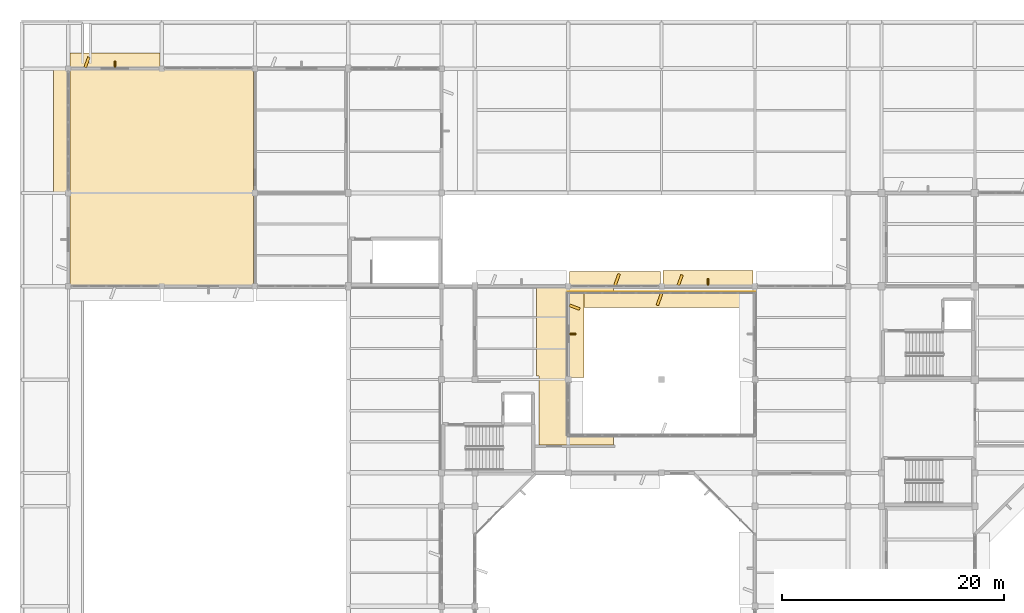
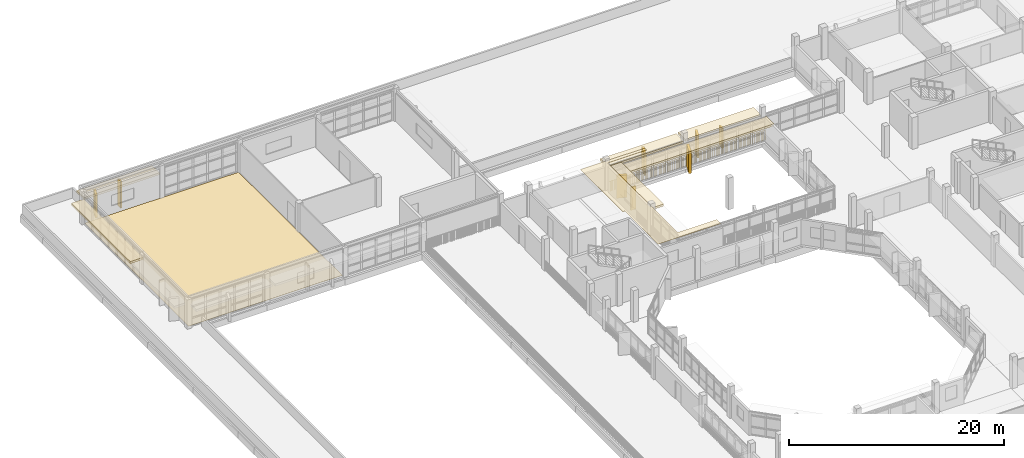
# One storey, part 84 of 92: 13 coverings, 3 shading devices, 1 railing.
"""IFC4 building model written with IfcOpenShell, lengths in metres."""

from ifc_helpers import new_model, si_unit, direction, frame, origin, origin_2d, place, context, subcontext, project, spatial, polyline, rectangle, circle, outline, extrude, material, layer, layer_set, type_object, element, save


model = new_model("IFC4")

# Units and contexts
model_context = context("Model", 3, precision=1e-05, world=origin(), true_north=direction((0.0, 1.0)))
body_context = subcontext(model_context, "Body", "Model", "MODEL_VIEW")
ifc_project = project(units=[si_unit("LENGTHUNIT", "METRE"), si_unit("AREAUNIT", "SQUARE_METRE"), si_unit("VOLUMEUNIT", "CUBIC_METRE"), si_unit("PLANEANGLEUNIT", "RADIAN"), si_unit("MASSUNIT", "GRAM", prefix="KILO")], contexts=[model_context])

# Site, building, storey
site_placement = place(None, origin())
site = spatial("IfcSite", under=ifc_project, at=site_placement, CompositionType="ELEMENT")
building_placement = place(site_placement, origin())
building = spatial("IfcBuilding", under=site, at=building_placement, Name="Vanh Quang Courtyard School", CompositionType="ELEMENT")
storey_placement = place(building_placement, frame((0.0, 0.0, 7.800048828125)))
storey = spatial("IfcBuildingStorey", under=building, at=storey_placement, Name="L02", CompositionType="ELEMENT", Elevation=7.800048828125)

# Coverings
ifc_material_1 = material(Name="Perforated mineral-fibre acoustic ceiling board")
ifc_layer_1 = layer(ifc_material_1, 0.02490234375)
ifc_layer_set_1 = layer_set([ifc_layer_1], Name="Perforated mineral-fibre acoustic ceiling board")
covering_type_1 = type_object("IfcCoveringType", Name="COV-CEIL-ACOUSTIC", PredefinedType="CEILING", material=ifc_layer_set_1)
covering_1_placement = place(storey_placement, frame((0.0, 0.0, 3.27490234375)))
element("IfcCovering", 1, at=covering_1_placement, inside=storey, type_object=covering_type_1, Name="Covering CV-CL1 (L02)", PredefinedType="CEILING", context=body_context, shape_type="SweptSolid", body=[
    extrude(outline(polyline([(53.27001953125, 87.739990234375), (53.27001953125, 87.739013671875), (53.269775390625, 87.738037109375), (53.26953125, 87.737060546875), (53.269287109375, 87.736083984375), (53.268798828125, 87.7353515625), (53.268310546875, 87.734375), (53.267578125, 87.733642578125), (53.26708984375, 87.73291015625), (53.266357421875, 87.732421875), (53.265625, 87.731689453125), (53.2646484375, 87.731201171875), (53.263916015625, 87.730712890625), (53.262939453125, 87.73046875), (53.261962890625, 87.730224609375), (53.260986328125, 87.72998046875), (53.260009765625, 87.72998046875), (49.200927734375, 87.72998046875), (49.150390625, 87.719970703125), (49.108154296875, 87.69189453125), (49.080078125, 87.649658203125), (49.070068359375, 87.59912109375), (49.070068359375, 74.80078125), (49.07568359375, 74.7626953125), (49.099853515625, 74.71728515625), (49.127685546875, 74.69189453125), (49.162353515625, 74.67578125), (49.20068359375, 74.669921875), (53.260009765625, 74.669921875), (53.260986328125, 74.669921875), (53.261962890625, 74.669921875), (53.262939453125, 74.669677734375), (53.263916015625, 74.669189453125), (53.2646484375, 74.668701171875), (53.265625, 74.668212890625), (53.266357421875, 74.667724609375), (53.26708984375, 74.6669921875), (53.267578125, 74.666259765625), (53.268310546875, 74.66552734375), (53.268798828125, 74.664794921875), (53.269287109375, 74.663818359375), (53.26953125, 74.662841796875), (53.269775390625, 74.662109375), (53.27001953125, 74.660888671875), (53.27001953125, 74.659912109375), (53.27001953125, 73.93994140625), (53.27001953125, 73.93896484375), (53.269775390625, 73.93798828125), (53.26953125, 73.93701171875), (53.269287109375, 73.936279296875), (53.268798828125, 73.935302734375), (53.268310546875, 73.934326171875), (53.267578125, 73.93359375), (53.26708984375, 73.932861328125), (53.266357421875, 73.932373046875), (53.265625, 73.931640625), (53.2646484375, 73.93115234375), (53.263916015625, 73.930908203125), (53.262939453125, 73.930419921875), (53.261962890625, 73.93017578125), (53.260986328125, 73.929931640625), (53.260009765625, 73.929931640625), (46.550048828125, 73.929931640625), (46.550048828125, 80.14990234375), (46.330078125, 80.14990234375), (46.330078125, 88.06005859375), (46.330078125, 88.06103515625), (46.330078125, 88.06201171875), (46.330322265625, 88.06298828125), (46.330810546875, 88.063720703125), (46.331298828125, 88.064697265625), (46.331787109375, 88.065673828125), (46.332275390625, 88.06640625), (46.3330078125, 88.067138671875), (46.333740234375, 88.067626953125), (46.33447265625, 88.068359375), (46.335205078125, 88.06884765625), (46.336181640625, 88.069091796875), (46.337158203125, 88.069580078125), (46.337890625, 88.06982421875), (46.339111328125, 88.070068359375), (46.340087890625, 88.070068359375), (53.260009765625, 88.070068359375), (53.260986328125, 88.070068359375), (53.261962890625, 88.06982421875), (53.262939453125, 88.069580078125), (53.263916015625, 88.069091796875), (53.2646484375, 88.06884765625), (53.265625, 88.068359375), (53.266357421875, 88.067626953125), (53.26708984375, 88.067138671875), (53.267578125, 88.06640625), (53.268310546875, 88.065673828125), (53.268798828125, 88.064697265625), (53.269287109375, 88.063720703125), (53.26953125, 88.06298828125), (53.269775390625, 88.06201171875), (53.27001953125, 88.06103515625), (53.27001953125, 88.06005859375), (53.27001953125, 87.739990234375)])), origin(), (0.0, 0.0, 1.0), 0.025146484375),
])
ifc_material_2 = material(Name="Polished cementitious terrazzo tile", Category="concrete")
ifc_layer_2 = layer(ifc_material_2, 0.02001953125)
ifc_layer_set_2 = layer_set([ifc_layer_2], Name="Polished cementitious terrazzo tile")
covering_type_2 = type_object("IfcCoveringType", Name="COV-FLR-TERRAZZO", PredefinedType="FLOORING", material=ifc_layer_set_2)
covering_2_placement = place(storey_placement, origin())
element("IfcCovering", 2, at=covering_2_placement, inside=storey, type_object=covering_type_2, Name="Covering CV-FL1 (L02)", PredefinedType="FLOORING", context=body_context, shape_type="SweptSolid", body=[
    extrude(outline(polyline([(4.330078125, 107.659912109375), (4.330078125, 107.660888671875), (4.330078125, 107.662109375), (4.330322265625, 107.662841796875), (4.330810546875, 107.663818359375), (4.331298828125, 107.664794921875), (4.331787109375, 107.66552734375), (4.332275390625, 107.666259765625), (4.3330078125, 107.6669921875), (4.333740234375, 107.667724609375), (4.33447265625, 107.668212890625), (4.335205078125, 107.668701171875), (4.336181640625, 107.669189453125), (4.337158203125, 107.669677734375), (4.337890625, 107.669921875), (4.339111328125, 107.669921875), (4.340087890625, 107.669921875), (20.860107421875, 107.669921875), (20.861083984375, 107.669921875), (20.862060546875, 107.669921875), (20.86279296875, 107.669677734375), (20.86376953125, 107.669189453125), (20.86474609375, 107.668701171875), (20.865478515625, 107.668212890625), (20.8662109375, 107.667724609375), (20.8671875, 107.6669921875), (20.86767578125, 107.666259765625), (20.868408203125, 107.66552734375), (20.868896484375, 107.664794921875), (20.869140625, 107.663818359375), (20.86962890625, 107.662841796875), (20.869873046875, 107.662109375), (20.8701171875, 107.660888671875), (20.8701171875, 107.659912109375), (20.8701171875, 88.340087890625), (20.8701171875, 88.339111328125), (20.869873046875, 88.337890625), (20.86962890625, 88.337158203125), (20.869140625, 88.336181640625), (20.868896484375, 88.335205078125), (20.868408203125, 88.33447265625), (20.86767578125, 88.333740234375), (20.8671875, 88.3330078125), (20.8662109375, 88.332275390625), (20.865478515625, 88.331787109375), (20.86474609375, 88.331298828125), (20.86376953125, 88.330810546875), (20.86279296875, 88.330322265625), (20.862060546875, 88.330078125), (20.861083984375, 88.330078125), (20.860107421875, 88.330078125), (4.340087890625, 88.330078125), (4.339111328125, 88.330078125), (4.337890625, 88.330078125), (4.337158203125, 88.330322265625), (4.336181640625, 88.330810546875), (4.335205078125, 88.331298828125), (4.33447265625, 88.331787109375), (4.333740234375, 88.332275390625), (4.3330078125, 88.3330078125), (4.332275390625, 88.333740234375), (4.331787109375, 88.33447265625), (4.331298828125, 88.335205078125), (4.330810546875, 88.336181640625), (4.330322265625, 88.337158203125), (4.330078125, 88.337890625), (4.330078125, 88.339111328125), (4.330078125, 88.340087890625), (4.330078125, 107.659912109375)])), origin(), (0.0, 0.0, 1.0), 0.02001953125),
])
ifc_material_3 = material(Name="Board-marked precast concrete C40/50", Category="concrete")
ifc_layer_3 = layer(ifc_material_3, 0.239990234375)
ifc_layer_set_3 = layer_set([ifc_layer_3], Name="Board-marked precast concrete C40/50")
covering_type_3 = type_object("IfcCoveringType", Name="COV-HOOD-CONC", PredefinedType="CLADDING", material=ifc_layer_set_3)
covering_3_placement = place(storey_placement, frame((53.39990234375, 88.820068359375, 2.35986328125), z_axis=(0.0, 0.0, 1.0), x_axis=(1.0, 0.0, 0.0)))
element("IfcCovering", 3, at=covering_3_placement, inside=storey, type_object=covering_type_3, Name="Covering CH-01 (L02)", PredefinedType="CLADDING", context=body_context, shape_type="SweptSolid", body=[
    extrude(rectangle(XDim=8.18408203125, YDim=1.39990234375, at=origin_2d()), origin(), (0.0, 0.0, 1.0), 0.239990234375),
])
covering_4_placement = place(storey_placement, frame((53.590087890625, 88.784912109375, 0.0), z_axis=(0.0, 0.0, 1.0), x_axis=(0.340379550213, 0.94028812701, 0.0)))
element("IfcCovering", 4, at=covering_4_placement, inside=storey, type_object=covering_type_3, Name="Covering CH-01 (L02)", PredefinedType="CLADDING", context=body_context, shape_type="SweptSolid", body=[
    extrude(rectangle(XDim=1.11669921875, YDim=0.239990234375, at=origin_2d()), origin(), (0.0, 0.0, 1.0), 2.56005859375),
])
covering_5_placement = place(storey_placement, frame((61.800048828125, 88.93994140625, 2.35986328125), z_axis=(0.0, 0.0, 1.0), x_axis=(1.0, 0.0, 0.0)))
element("IfcCovering", 5, at=covering_5_placement, inside=storey, type_object=covering_type_3, Name="Covering CH-01 (L02)", PredefinedType="CLADDING", context=body_context, shape_type="SweptSolid", body=[
    extrude(rectangle(XDim=8.10400390625, YDim=1.35009765625, at=origin_2d()), origin(), (0.0, 0.0, 1.0), 0.239990234375),
])
covering_6_placement = place(storey_placement, frame((59.28271484375, 88.77001953125, 0.0), z_axis=(0.0, 0.0, 1.0), x_axis=(0.346608245445, 0.938009980858, 0.0)))
element("IfcCovering", 6, at=covering_6_placement, inside=storey, type_object=covering_type_3, Name="Covering CH-01 (L02)", PredefinedType="CLADDING", context=body_context, shape_type="SweptSolid", body=[
    extrude(rectangle(XDim=0.980712890625, YDim=0.239990234375, at=origin_2d()), origin(), (0.0, 0.0, 1.0), 2.56005859375),
])
covering_7_placement = place(storey_placement, frame((57.60009765625, 86.97998046875, 2.41015625), z_axis=(0.0, 0.0, 1.0), x_axis=(-1.0, 0.0, 0.0)))
element("IfcCovering", 7, at=covering_7_placement, inside=storey, type_object=covering_type_3, Name="Covering CH-01 (L02)", PredefinedType="CLADDING", context=body_context, shape_type="SweptSolid", body=[
    extrude(rectangle(XDim=17.10009765625, YDim=1.39990234375, at=origin_2d()), origin(), (0.0, 0.0, 1.0), 0.239990234375),
])
covering_8_placement = place(storey_placement, frame((57.409912109375, 87.014892578125, 0.0), z_axis=(0.0, 0.0, 1.0), x_axis=(-0.340379550213, -0.94028812701, 0.0)))
element("IfcCovering", 8, at=covering_8_placement, inside=storey, type_object=covering_type_3, Name="Covering CH-01 (L02)", PredefinedType="CLADDING", context=body_context, shape_type="SweptSolid", body=[
    extrude(rectangle(XDim=1.11669921875, YDim=0.239990234375, at=origin_2d()), origin(), (0.0, 0.0, 1.0), 2.56005859375),
])
covering_9_placement = place(storey_placement, frame((49.93994140625, 83.896484375, 2.5400390625), z_axis=(0.0, 0.0, 1.0), x_axis=(0.0, -1.0, 0.0)))
element("IfcCovering", 9, at=covering_9_placement, inside=storey, type_object=covering_type_3, Name="Covering CH-01 (L02)", PredefinedType="CLADDING", context=body_context, shape_type="SweptSolid", body=[
    extrude(rectangle(XDim=7.846923828125, YDim=1.35009765625, at=origin_2d()), origin(), (0.0, 0.0, 1.0), 0.239990234375),
])
covering_10_placement = place(storey_placement, frame((49.77001953125, 86.326416015625, 0.0), z_axis=(0.0, 0.0, 1.0), x_axis=(0.938009980858, -0.346608245445, 0.0)))
element("IfcCovering", 10, at=covering_10_placement, inside=storey, type_object=covering_type_3, Name="Covering CH-01 (L02)", PredefinedType="CLADDING", context=body_context, shape_type="SweptSolid", body=[
    extrude(rectangle(XDim=0.980712890625, YDim=0.239990234375, at=origin_2d()), origin(), (0.0, 0.0, 1.0), 2.56005859375),
])
covering_11_placement = place(storey_placement, frame((3.580078125, 102.199951171875, 2.5400390625), z_axis=(0.0, 0.0, 1.0), x_axis=(0.0, 1.0, 0.0)))
element("IfcCovering", 11, at=covering_11_placement, inside=storey, type_object=covering_type_3, Name="Covering CH-01 (L02)", PredefinedType="CLADDING", context=body_context, shape_type="SweptSolid", body=[
    extrude(rectangle(XDim=10.98388671875, YDim=1.39990234375, at=origin_2d()), origin(), (0.0, 0.0, 1.0), 0.239990234375),
])
covering_12_placement = place(storey_placement, frame((8.39990234375, 108.5400390625, 2.5400390625), z_axis=(0.0, 0.0, 1.0), x_axis=(1.0, 0.0, 0.0)))
element("IfcCovering", 12, at=covering_12_placement, inside=storey, type_object=covering_type_3, Name="Covering CH-01 (L02)", PredefinedType="CLADDING", context=body_context, shape_type="SweptSolid", body=[
    extrude(rectangle(XDim=8.10400390625, YDim=1.35009765625, at=origin_2d()), origin(), (0.0, 0.0, 1.0), 0.239990234375),
])
covering_13_placement = place(storey_placement, frame((5.882568359375, 108.3701171875, 0.0), z_axis=(0.0, 0.0, 1.0), x_axis=(0.346608245445, 0.938009980858, 0.0)))
element("IfcCovering", 13, at=covering_13_placement, inside=storey, type_object=covering_type_3, Name="Covering CH-01 (L02)", PredefinedType="CLADDING", context=body_context, shape_type="SweptSolid", body=[
    extrude(rectangle(XDim=0.980712890625, YDim=0.239990234375, at=origin_2d()), origin(), (0.0, 0.0, 1.0), 2.56005859375),
])

# Railing
ifc_material_4 = material(Name="Galvanised painted steel EN 10025-2 S355J2", Category="steel")
railing_type = type_object("IfcRailingType", Name="RAIL-GUARD-1150", PredefinedType="BALUSTRADE", material=ifc_material_4)
railing_placement = place(storey_placement, frame((66.0, 87.699951171875, 0.0)))
element("IfcRailing", 14, at=railing_placement, inside=storey, type_object=railing_type, Name="Railing GR-01 (L02)", PredefinedType="BALUSTRADE", context=body_context, shape_type="SweptSolid", body=[
    extrude(circle(Radius=0.02392578125, at=origin_2d()), frame((0.0, 0.0, 1.1259765625), z_axis=(-1.0, 0.0, 0.0), x_axis=(0.0, -1.0, 0.0)), (0.0, 0.0, 1.0), 16.800048828125),
    extrude(circle(Radius=0.02099609375, at=origin_2d()), origin(), (0.0, 0.0, 1.0), 1.101806640625),
    extrude(circle(Radius=0.02099609375, at=origin_2d()), frame((-0.138916015625, 0.0, 0.0)), (0.0, 0.0, 1.0), 1.101806640625),
    extrude(circle(Radius=0.02099609375, at=origin_2d()), frame((-0.277587890625, 0.0, 0.0)), (0.0, 0.0, 1.0), 1.101806640625),
    extrude(circle(Radius=0.02099609375, at=origin_2d()), frame((-0.41650390625, 0.0, 0.0)), (0.0, 0.0, 1.0), 1.101806640625),
    extrude(circle(Radius=0.02099609375, at=origin_2d()), frame((-0.555419921875, 0.0, 0.0)), (0.0, 0.0, 1.0), 1.101806640625),
    extrude(circle(Radius=0.02099609375, at=origin_2d()), frame((-0.6943359375, 0.0, 0.0)), (0.0, 0.0, 1.0), 1.101806640625),
    extrude(circle(Radius=0.02099609375, at=origin_2d()), frame((-0.8330078125, 0.0, 0.0)), (0.0, 0.0, 1.0), 1.101806640625),
    extrude(circle(Radius=0.02099609375, at=origin_2d()), frame((-0.971923828125, 0.0, 0.0)), (0.0, 0.0, 1.0), 1.101806640625),
    extrude(circle(Radius=0.02099609375, at=origin_2d()), frame((-1.11083984375, 0.0, 0.0)), (0.0, 0.0, 1.0), 1.101806640625),
    extrude(circle(Radius=0.02099609375, at=origin_2d()), frame((-1.24951171875, 0.0, 0.0)), (0.0, 0.0, 1.0), 1.101806640625),
    extrude(circle(Radius=0.02099609375, at=origin_2d()), frame((-1.388427734375, 0.0, 0.0)), (0.0, 0.0, 1.0), 1.101806640625),
    extrude(circle(Radius=0.02099609375, at=origin_2d()), frame((-1.52734375, 0.0, 0.0)), (0.0, 0.0, 1.0), 1.101806640625),
    extrude(circle(Radius=0.02099609375, at=origin_2d()), frame((-1.666015625, 0.0, 0.0)), (0.0, 0.0, 1.0), 1.101806640625),
    extrude(circle(Radius=0.02099609375, at=origin_2d()), frame((-1.804931640625, 0.0, 0.0)), (0.0, 0.0, 1.0), 1.101806640625),
    extrude(circle(Radius=0.02099609375, at=origin_2d()), frame((-1.94384765625, 0.0, 0.0)), (0.0, 0.0, 1.0), 1.101806640625),
    extrude(circle(Radius=0.02099609375, at=origin_2d()), frame((-2.082763671875, 0.0, 0.0)), (0.0, 0.0, 1.0), 1.101806640625),
    extrude(circle(Radius=0.02099609375, at=origin_2d()), frame((-2.221435546875, 0.0, 0.0)), (0.0, 0.0, 1.0), 1.101806640625),
    extrude(circle(Radius=0.02099609375, at=origin_2d()), frame((-2.3603515625, 0.0, 0.0)), (0.0, 0.0, 1.0), 1.101806640625),
    extrude(circle(Radius=0.02099609375, at=origin_2d()), frame((-2.499267578125, 0.0, 0.0)), (0.0, 0.0, 1.0), 1.101806640625),
    extrude(circle(Radius=0.02099609375, at=origin_2d()), frame((-2.637939453125, 0.0, 0.0)), (0.0, 0.0, 1.0), 1.101806640625),
    extrude(circle(Radius=0.02099609375, at=origin_2d()), frame((-2.77685546875, 0.0, 0.0)), (0.0, 0.0, 1.0), 1.101806640625),
    extrude(circle(Radius=0.02099609375, at=origin_2d()), frame((-2.915771484375, 0.0, 0.0)), (0.0, 0.0, 1.0), 1.101806640625),
    extrude(circle(Radius=0.02099609375, at=origin_2d()), frame((-3.054443359375, 0.0, 0.0)), (0.0, 0.0, 1.0), 1.101806640625),
    extrude(circle(Radius=0.02099609375, at=origin_2d()), frame((-3.193359375, 0.0, 0.0)), (0.0, 0.0, 1.0), 1.101806640625),
    extrude(circle(Radius=0.02099609375, at=origin_2d()), frame((-3.332275390625, 0.0, 0.0)), (0.0, 0.0, 1.0), 1.101806640625),
    extrude(circle(Radius=0.02099609375, at=origin_2d()), frame((-3.47119140625, 0.0, 0.0)), (0.0, 0.0, 1.0), 1.101806640625),
    extrude(circle(Radius=0.02099609375, at=origin_2d()), frame((-3.60986328125, 0.0, 0.0)), (0.0, 0.0, 1.0), 1.101806640625),
    extrude(circle(Radius=0.02099609375, at=origin_2d()), frame((-3.748779296875, 0.0, 0.0)), (0.0, 0.0, 1.0), 1.101806640625),
    extrude(circle(Radius=0.02099609375, at=origin_2d()), frame((-3.8876953125, 0.0, 0.0)), (0.0, 0.0, 1.0), 1.101806640625),
    extrude(circle(Radius=0.02099609375, at=origin_2d()), frame((-4.0263671875, 0.0, 0.0)), (0.0, 0.0, 1.0), 1.101806640625),
    extrude(circle(Radius=0.02099609375, at=origin_2d()), frame((-4.165283203125, 0.0, 0.0)), (0.0, 0.0, 1.0), 1.101806640625),
    extrude(circle(Radius=0.02099609375, at=origin_2d()), frame((-4.30419921875, 0.0, 0.0)), (0.0, 0.0, 1.0), 1.101806640625),
    extrude(circle(Radius=0.02099609375, at=origin_2d()), frame((-4.44287109375, 0.0, 0.0)), (0.0, 0.0, 1.0), 1.101806640625),
    extrude(circle(Radius=0.02099609375, at=origin_2d()), frame((-4.581787109375, 0.0, 0.0)), (0.0, 0.0, 1.0), 1.101806640625),
    extrude(circle(Radius=0.02099609375, at=origin_2d()), frame((-4.720703125, 0.0, 0.0)), (0.0, 0.0, 1.0), 1.101806640625),
    extrude(circle(Radius=0.02099609375, at=origin_2d()), frame((-4.859619140625, 0.0, 0.0)), (0.0, 0.0, 1.0), 1.101806640625),
    extrude(circle(Radius=0.02099609375, at=origin_2d()), frame((-4.998291015625, 0.0, 0.0)), (0.0, 0.0, 1.0), 1.101806640625),
    extrude(circle(Radius=0.02099609375, at=origin_2d()), frame((-5.13720703125, 0.0, 0.0)), (0.0, 0.0, 1.0), 1.101806640625),
    extrude(circle(Radius=0.02099609375, at=origin_2d()), frame((-5.276123046875, 0.0, 0.0)), (0.0, 0.0, 1.0), 1.101806640625),
    extrude(circle(Radius=0.02099609375, at=origin_2d()), frame((-5.414794921875, 0.0, 0.0)), (0.0, 0.0, 1.0), 1.101806640625),
    extrude(circle(Radius=0.02099609375, at=origin_2d()), frame((-5.5537109375, 0.0, 0.0)), (0.0, 0.0, 1.0), 1.101806640625),
    extrude(circle(Radius=0.02099609375, at=origin_2d()), frame((-5.692626953125, 0.0, 0.0)), (0.0, 0.0, 1.0), 1.101806640625),
    extrude(circle(Radius=0.02099609375, at=origin_2d()), frame((-5.83154296875, 0.0, 0.0)), (0.0, 0.0, 1.0), 1.101806640625),
    extrude(circle(Radius=0.02099609375, at=origin_2d()), frame((-5.97021484375, 0.0, 0.0)), (0.0, 0.0, 1.0), 1.101806640625),
    extrude(circle(Radius=0.02099609375, at=origin_2d()), frame((-6.109130859375, 0.0, 0.0)), (0.0, 0.0, 1.0), 1.101806640625),
    extrude(circle(Radius=0.02099609375, at=origin_2d()), frame((-6.248046875, 0.0, 0.0)), (0.0, 0.0, 1.0), 1.101806640625),
    extrude(circle(Radius=0.02099609375, at=origin_2d()), frame((-6.38671875, 0.0, 0.0)), (0.0, 0.0, 1.0), 1.101806640625),
    extrude(circle(Radius=0.02099609375, at=origin_2d()), frame((-6.525634765625, 0.0, 0.0)), (0.0, 0.0, 1.0), 1.101806640625),
    extrude(circle(Radius=0.02099609375, at=origin_2d()), frame((-6.66455078125, 0.0, 0.0)), (0.0, 0.0, 1.0), 1.101806640625),
    extrude(circle(Radius=0.02099609375, at=origin_2d()), frame((-6.80322265625, 0.0, 0.0)), (0.0, 0.0, 1.0), 1.101806640625),
    extrude(circle(Radius=0.02099609375, at=origin_2d()), frame((-6.942138671875, 0.0, 0.0)), (0.0, 0.0, 1.0), 1.101806640625),
    extrude(circle(Radius=0.02099609375, at=origin_2d()), frame((-7.0810546875, 0.0, 0.0)), (0.0, 0.0, 1.0), 1.101806640625),
    extrude(circle(Radius=0.02099609375, at=origin_2d()), frame((-7.219970703125, 0.0, 0.0)), (0.0, 0.0, 1.0), 1.101806640625),
    extrude(circle(Radius=0.02099609375, at=origin_2d()), frame((-7.358642578125, 0.0, 0.0)), (0.0, 0.0, 1.0), 1.101806640625),
    extrude(circle(Radius=0.02099609375, at=origin_2d()), frame((-7.49755859375, 0.0, 0.0)), (0.0, 0.0, 1.0), 1.101806640625),
    extrude(circle(Radius=0.02099609375, at=origin_2d()), frame((-7.636474609375, 0.0, 0.0)), (0.0, 0.0, 1.0), 1.101806640625),
    extrude(circle(Radius=0.02099609375, at=origin_2d()), frame((-7.775146484375, 0.0, 0.0)), (0.0, 0.0, 1.0), 1.101806640625),
    extrude(circle(Radius=0.02099609375, at=origin_2d()), frame((-7.9140625, 0.0, 0.0)), (0.0, 0.0, 1.0), 1.101806640625),
    extrude(circle(Radius=0.02099609375, at=origin_2d()), frame((-8.052978515625, 0.0, 0.0)), (0.0, 0.0, 1.0), 1.101806640625),
    extrude(circle(Radius=0.02099609375, at=origin_2d()), frame((-8.191650390625, 0.0, 0.0)), (0.0, 0.0, 1.0), 1.101806640625),
    extrude(circle(Radius=0.02099609375, at=origin_2d()), frame((-8.33056640625, 0.0, 0.0)), (0.0, 0.0, 1.0), 1.101806640625),
    extrude(circle(Radius=0.02099609375, at=origin_2d()), frame((-8.469482421875, 0.0, 0.0)), (0.0, 0.0, 1.0), 1.101806640625),
    extrude(circle(Radius=0.02099609375, at=origin_2d()), frame((-8.6083984375, 0.0, 0.0)), (0.0, 0.0, 1.0), 1.101806640625),
    extrude(circle(Radius=0.02099609375, at=origin_2d()), frame((-8.7470703125, 0.0, 0.0)), (0.0, 0.0, 1.0), 1.101806640625),
    extrude(circle(Radius=0.02099609375, at=origin_2d()), frame((-8.885986328125, 0.0, 0.0)), (0.0, 0.0, 1.0), 1.101806640625),
    extrude(circle(Radius=0.02099609375, at=origin_2d()), frame((-9.02490234375, 0.0, 0.0)), (0.0, 0.0, 1.0), 1.101806640625),
    extrude(circle(Radius=0.02099609375, at=origin_2d()), frame((-9.16357421875, 0.0, 0.0)), (0.0, 0.0, 1.0), 1.101806640625),
    extrude(circle(Radius=0.02099609375, at=origin_2d()), frame((-9.302490234375, 0.0, 0.0)), (0.0, 0.0, 1.0), 1.101806640625),
    extrude(circle(Radius=0.02099609375, at=origin_2d()), frame((-9.44140625, 0.0, 0.0)), (0.0, 0.0, 1.0), 1.101806640625),
    extrude(circle(Radius=0.02099609375, at=origin_2d()), frame((-9.580078125, 0.0, 0.0)), (0.0, 0.0, 1.0), 1.101806640625),
    extrude(circle(Radius=0.02099609375, at=origin_2d()), frame((-9.718994140625, 0.0, 0.0)), (0.0, 0.0, 1.0), 1.101806640625),
    extrude(circle(Radius=0.02099609375, at=origin_2d()), frame((-9.85791015625, 0.0, 0.0)), (0.0, 0.0, 1.0), 1.101806640625),
    extrude(circle(Radius=0.02099609375, at=origin_2d()), frame((-9.996826171875, 0.0, 0.0)), (0.0, 0.0, 1.0), 1.101806640625),
    extrude(circle(Radius=0.02099609375, at=origin_2d()), frame((-10.135498046875, 0.0, 0.0)), (0.0, 0.0, 1.0), 1.101806640625),
    extrude(circle(Radius=0.02099609375, at=origin_2d()), frame((-10.2744140625, 0.0, 0.0)), (0.0, 0.0, 1.0), 1.101806640625),
    extrude(circle(Radius=0.02099609375, at=origin_2d()), frame((-10.413330078125, 0.0, 0.0)), (0.0, 0.0, 1.0), 1.101806640625),
    extrude(circle(Radius=0.02099609375, at=origin_2d()), frame((-10.552001953125, 0.0, 0.0)), (0.0, 0.0, 1.0), 1.101806640625),
    extrude(circle(Radius=0.02099609375, at=origin_2d()), frame((-10.69091796875, 0.0, 0.0)), (0.0, 0.0, 1.0), 1.101806640625),
    extrude(circle(Radius=0.02099609375, at=origin_2d()), frame((-10.829833984375, 0.0, 0.0)), (0.0, 0.0, 1.0), 1.101806640625),
    extrude(circle(Radius=0.02099609375, at=origin_2d()), frame((-10.968505859375, 0.0, 0.0)), (0.0, 0.0, 1.0), 1.101806640625),
    extrude(circle(Radius=0.02099609375, at=origin_2d()), frame((-11.107421875, 0.0, 0.0)), (0.0, 0.0, 1.0), 1.101806640625),
    extrude(circle(Radius=0.02099609375, at=origin_2d()), frame((-11.246337890625, 0.0, 0.0)), (0.0, 0.0, 1.0), 1.101806640625),
    extrude(circle(Radius=0.02099609375, at=origin_2d()), frame((-11.38525390625, 0.0, 0.0)), (0.0, 0.0, 1.0), 1.101806640625),
    extrude(circle(Radius=0.02099609375, at=origin_2d()), frame((-11.52392578125, 0.0, 0.0)), (0.0, 0.0, 1.0), 1.101806640625),
    extrude(circle(Radius=0.02099609375, at=origin_2d()), frame((-11.662841796875, 0.0, 0.0)), (0.0, 0.0, 1.0), 1.101806640625),
    extrude(circle(Radius=0.02099609375, at=origin_2d()), frame((-11.8017578125, 0.0, 0.0)), (0.0, 0.0, 1.0), 1.101806640625),
    extrude(circle(Radius=0.02099609375, at=origin_2d()), frame((-11.9404296875, 0.0, 0.0)), (0.0, 0.0, 1.0), 1.101806640625),
    extrude(circle(Radius=0.02099609375, at=origin_2d()), frame((-12.079345703125, 0.0, 0.0)), (0.0, 0.0, 1.0), 1.101806640625),
    extrude(circle(Radius=0.02099609375, at=origin_2d()), frame((-12.21826171875, 0.0, 0.0)), (0.0, 0.0, 1.0), 1.101806640625),
    extrude(circle(Radius=0.02099609375, at=origin_2d()), frame((-12.357177734375, 0.0, 0.0)), (0.0, 0.0, 1.0), 1.101806640625),
    extrude(circle(Radius=0.02099609375, at=origin_2d()), frame((-12.495849609375, 0.0, 0.0)), (0.0, 0.0, 1.0), 1.101806640625),
    extrude(circle(Radius=0.02099609375, at=origin_2d()), frame((-12.634765625, 0.0, 0.0)), (0.0, 0.0, 1.0), 1.101806640625),
    extrude(circle(Radius=0.02099609375, at=origin_2d()), frame((-12.773681640625, 0.0, 0.0)), (0.0, 0.0, 1.0), 1.101806640625),
    extrude(circle(Radius=0.02099609375, at=origin_2d()), frame((-12.912353515625, 0.0, 0.0)), (0.0, 0.0, 1.0), 1.101806640625),
    extrude(circle(Radius=0.02099609375, at=origin_2d()), frame((-13.05126953125, 0.0, 0.0)), (0.0, 0.0, 1.0), 1.101806640625),
    extrude(circle(Radius=0.02099609375, at=origin_2d()), frame((-13.190185546875, 0.0, 0.0)), (0.0, 0.0, 1.0), 1.101806640625),
    extrude(circle(Radius=0.02099609375, at=origin_2d()), frame((-13.328857421875, 0.0, 0.0)), (0.0, 0.0, 1.0), 1.101806640625),
    extrude(circle(Radius=0.02099609375, at=origin_2d()), frame((-13.4677734375, 0.0, 0.0)), (0.0, 0.0, 1.0), 1.101806640625),
    extrude(circle(Radius=0.02099609375, at=origin_2d()), frame((-13.606689453125, 0.0, 0.0)), (0.0, 0.0, 1.0), 1.101806640625),
    extrude(circle(Radius=0.02099609375, at=origin_2d()), frame((-13.74560546875, 0.0, 0.0)), (0.0, 0.0, 1.0), 1.101806640625),
    extrude(circle(Radius=0.02099609375, at=origin_2d()), frame((-13.88427734375, 0.0, 0.0)), (0.0, 0.0, 1.0), 1.101806640625),
    extrude(circle(Radius=0.02099609375, at=origin_2d()), frame((-14.023193359375, 0.0, 0.0)), (0.0, 0.0, 1.0), 1.101806640625),
    extrude(circle(Radius=0.02099609375, at=origin_2d()), frame((-14.162109375, 0.0, 0.0)), (0.0, 0.0, 1.0), 1.101806640625),
    extrude(circle(Radius=0.02099609375, at=origin_2d()), frame((-14.30078125, 0.0, 0.0)), (0.0, 0.0, 1.0), 1.101806640625),
    extrude(circle(Radius=0.02099609375, at=origin_2d()), frame((-14.439697265625, 0.0, 0.0)), (0.0, 0.0, 1.0), 1.101806640625),
    extrude(circle(Radius=0.02099609375, at=origin_2d()), frame((-14.57861328125, 0.0, 0.0)), (0.0, 0.0, 1.0), 1.101806640625),
    extrude(circle(Radius=0.02099609375, at=origin_2d()), frame((-14.71728515625, 0.0, 0.0)), (0.0, 0.0, 1.0), 1.101806640625),
    extrude(circle(Radius=0.02099609375, at=origin_2d()), frame((-14.856201171875, 0.0, 0.0)), (0.0, 0.0, 1.0), 1.101806640625),
    extrude(circle(Radius=0.02099609375, at=origin_2d()), frame((-14.9951171875, 0.0, 0.0)), (0.0, 0.0, 1.0), 1.101806640625),
    extrude(circle(Radius=0.02099609375, at=origin_2d()), frame((-15.134033203125, 0.0, 0.0)), (0.0, 0.0, 1.0), 1.101806640625),
    extrude(circle(Radius=0.02099609375, at=origin_2d()), frame((-15.272705078125, 0.0, 0.0)), (0.0, 0.0, 1.0), 1.101806640625),
    extrude(circle(Radius=0.02099609375, at=origin_2d()), frame((-15.41162109375, 0.0, 0.0)), (0.0, 0.0, 1.0), 1.101806640625),
    extrude(circle(Radius=0.02099609375, at=origin_2d()), frame((-15.550537109375, 0.0, 0.0)), (0.0, 0.0, 1.0), 1.101806640625),
    extrude(circle(Radius=0.02099609375, at=origin_2d()), frame((-15.689208984375, 0.0, 0.0)), (0.0, 0.0, 1.0), 1.101806640625),
    extrude(circle(Radius=0.02099609375, at=origin_2d()), frame((-15.828125, 0.0, 0.0)), (0.0, 0.0, 1.0), 1.101806640625),
    extrude(circle(Radius=0.02099609375, at=origin_2d()), frame((-15.967041015625, 0.0, 0.0)), (0.0, 0.0, 1.0), 1.101806640625),
    extrude(circle(Radius=0.02099609375, at=origin_2d()), frame((-16.105712890625, 0.0, 0.0)), (0.0, 0.0, 1.0), 1.101806640625),
    extrude(circle(Radius=0.02099609375, at=origin_2d()), frame((-16.24462890625, 0.0, 0.0)), (0.0, 0.0, 1.0), 1.101806640625),
    extrude(circle(Radius=0.02099609375, at=origin_2d()), frame((-16.383544921875, 0.0, 0.0)), (0.0, 0.0, 1.0), 1.101806640625),
    extrude(circle(Radius=0.02099609375, at=origin_2d()), frame((-16.5224609375, 0.0, 0.0)), (0.0, 0.0, 1.0), 1.101806640625),
    extrude(circle(Radius=0.02099609375, at=origin_2d()), frame((-16.6611328125, 0.0, 0.0)), (0.0, 0.0, 1.0), 1.101806640625),
    extrude(circle(Radius=0.02099609375, at=origin_2d()), frame((-16.800048828125, 0.0, 0.0)), (0.0, 0.0, 1.0), 1.101806640625),
])

# Shading devices
shading_device_type = type_object("IfcShadingDeviceType", Name="SHD-FIN-CONCRETE", PredefinedType="USERDEFINED", material=ifc_material_3)
shading_device_1_placement = place(storey_placement, frame((61.800048828125, 88.594970703125, 0.14990234375), z_axis=(0.0, 0.0, 1.0), x_axis=(1.0, 0.0, 0.0)))
element("IfcShadingDevice", 15, at=shading_device_1_placement, inside=storey, type_object=shading_device_type, Name="Solar Shading SH-02 (L02)", ObjectType="Solar Shading SH-02 (L02)", PredefinedType="USERDEFINED", context=body_context, shape_type="SweptSolid", body=[
    extrude(rectangle(XDim=0.139892578125, YDim=0.550048828125, at=origin_2d()), origin(), (0.0, 0.0, 1.0), 2.300048828125),
])
shading_device_2_placement = place(storey_placement, frame((49.594970703125, 83.896484375, 0.14990234375), z_axis=(0.0, 0.0, 1.0), x_axis=(0.0, -1.0, 0.0)))
element("IfcShadingDevice", 16, at=shading_device_2_placement, inside=storey, type_object=shading_device_type, Name="Solar Shading SH-02 (L02)", ObjectType="Solar Shading SH-02 (L02)", PredefinedType="USERDEFINED", context=body_context, shape_type="SweptSolid", body=[
    extrude(rectangle(XDim=0.139892578125, YDim=0.550048828125, at=origin_2d()), origin(), (0.0, 0.0, 1.0), 2.60009765625),
])
shading_device_3_placement = place(storey_placement, frame((8.39990234375, 108.195068359375, 0.14990234375), z_axis=(0.0, 0.0, 1.0), x_axis=(1.0, 0.0, 0.0)))
element("IfcShadingDevice", 17, at=shading_device_3_placement, inside=storey, type_object=shading_device_type, Name="Solar Shading SH-02 (L02)", ObjectType="Solar Shading SH-02 (L02)", PredefinedType="USERDEFINED", context=body_context, shape_type="SweptSolid", body=[
    extrude(rectangle(XDim=0.139892578125, YDim=0.550048828125, at=origin_2d()), origin(), (0.0, 0.0, 1.0), 3.0400390625),
])

save(model, "model.ifc")
